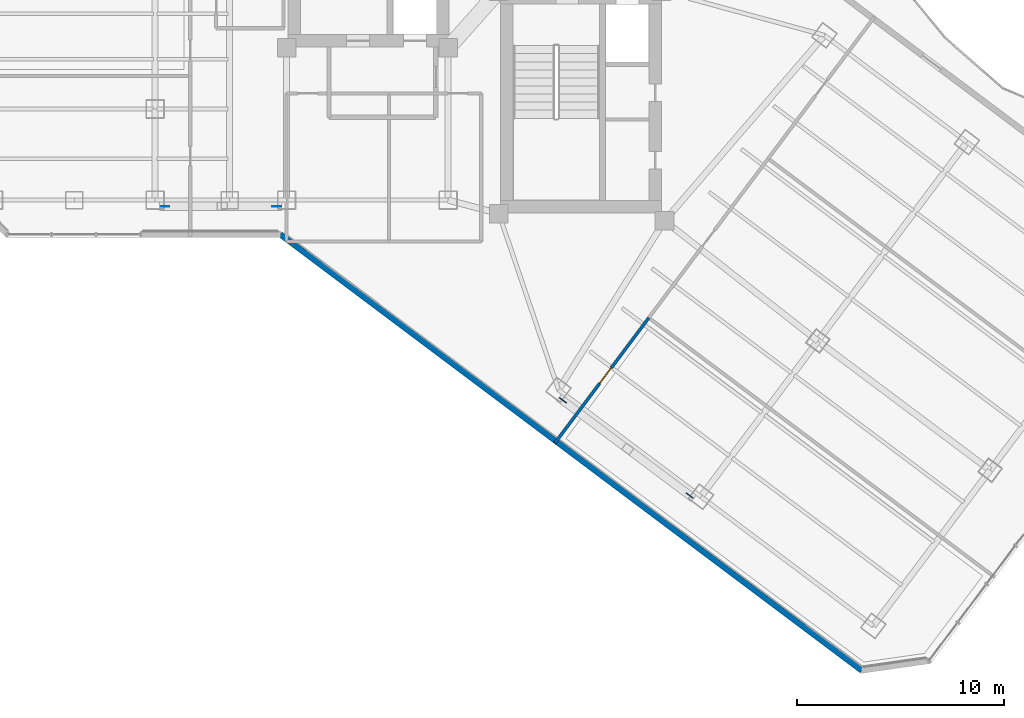
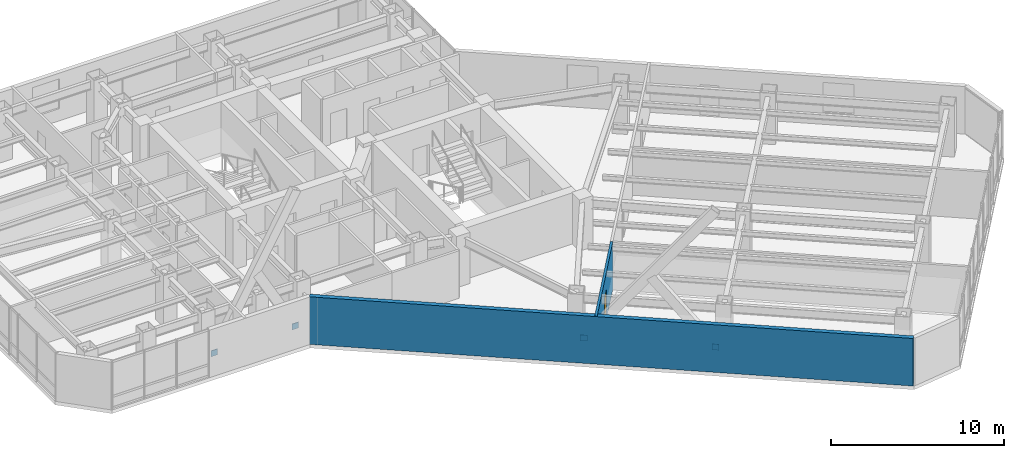
# One storey, part 21 of 29: 4 plates, 2 walls, 1 door, 1 opening.
"""IFC4 building model written with IfcOpenShell, lengths in metres."""

from ifc_helpers import new_model, si_unit, direction, frame, frame_2d, origin, origin_2d, place, context, subcontext, project, spatial, rectangle, extrude, material, layer, layer_set, type_object, element, fill, save


model = new_model("IFC4")

# Units and contexts
model_context = context("Model", 3, precision=1e-05, world=origin(), true_north=direction((0.0, 1.0)))
body_context = subcontext(model_context, "Body", "Model", "MODEL_VIEW")
ifc_project = project(units=[si_unit("LENGTHUNIT", "METRE"), si_unit("AREAUNIT", "SQUARE_METRE"), si_unit("VOLUMEUNIT", "CUBIC_METRE"), si_unit("PLANEANGLEUNIT", "RADIAN"), si_unit("MASSUNIT", "GRAM", prefix="KILO")], contexts=[model_context])

# Site, building, storey
site_placement = place(None, origin())
site = spatial("IfcSite", under=ifc_project, at=site_placement, CompositionType="ELEMENT")
building_placement = place(site_placement, origin())
building = spatial("IfcBuilding", under=site, at=building_placement, Name="Hatsunagi Terrace Concourse", CompositionType="ELEMENT")
storey_placement = place(building_placement, frame((0.0, 0.0, 108.449951171875)))
storey = spatial("IfcBuildingStorey", under=building, at=storey_placement, Name="L28", CompositionType="ELEMENT", Elevation=108.449951171875)

# Plates
ifc_material_1 = material(Name="Steel SN490C", Category="steel")
ifc_layer_1 = layer(ifc_material_1, 0.031982421875)
ifc_layer_set_1 = layer_set([ifc_layer_1], Name="XBraceNodeCapPlate_32")
plate_type = type_object("IfcPlateType", Name="XBraceNodeCapPlate_32", PredefinedType="USERDEFINED", material=ifc_layer_set_1)
for number, where, z_axis, x_axis, name in (
    (1, (19.675048828125, 24.89990234375, 0.22998046875), (0.0, 0.0, 1.0), (1.0, 0.0, 0.0), "Cast-In Core and Node Embed Plate GP-02 EP-XB-L28-W1-AB"),
    (2, (25.074951171875, 24.89990234375, 0.22998046875), (0.0, 0.0, 1.0), (1.0, 0.0, 0.0), "Cast-In Core and Node Embed Plate GP-02 EP-XB-L28-W1-BB"),
    (3, (38.89208984375, 15.531005859375, 0.22998046875), (0.0, 0.0, 1.0), (0.799999996291, -0.600000004945, 0.0), "Cast-In Core and Node Embed Plate GP-02 EP-XB-L28-SE-AB"),
    (4, (45.011962890625, 10.94091796875, 0.22998046875), (0.0, 0.0, 1.0), (0.799999996291, -0.600000004945, 0.0), "Cast-In Core and Node Embed Plate GP-02 EP-XB-L28-SE-BB"),
):
    element("IfcPlate", number, at=place(storey_placement, frame(where, z_axis=z_axis, x_axis=x_axis)), inside=storey, type_object=plate_type, Name=name, ObjectType="GUSSET_PLATE", PredefinedType="USERDEFINED", context=body_context, shape_type="SweptSolid", body=[
        extrude(rectangle(XDim=0.419921875, YDim=0.031982421875, at=origin_2d()), origin(), (0.0, 0.0, 1.0), 0.419921875),
    ])

# Wall, opening, door
ifc_material_2 = material(Name="Acoustic mineral board", Category="gypsum")
ifc_layer_2 = layer(ifc_material_2, 0.14990234375)
ifc_layer_set_2 = layer_set([ifc_layer_2], Name="PartitionWall_EI60_150")
wall_type_1 = type_object("IfcWallType", Name="PartitionWall_EI60_150", PredefinedType="PARTITIONING", material=ifc_layer_set_2)
wall_1_placement = place(storey_placement, frame((38.50390625, 13.471923828125, 0.0), z_axis=(0.0, 0.0, 1.0), x_axis=(0.600005166878, 0.799996124815, 0.0)))
wall_1 = element("IfcWall", 5, at=wall_1_placement, inside=storey, type_object=wall_type_1, Name="Interior Partition IW-L28-042", PredefinedType="PARTITIONING", context=body_context, shape_type="SweptSolid", body=[
    extrude(rectangle(XDim=7.56005859375, YDim=0.14990234375, at=frame_2d((3.780029296875, 0.0))), origin(), (0.0, 0.0, 1.0), 3.35009765625),
])
opening_placement = place(wall_1_placement, frame((3.597900390625, 0.0, 0.0)))
opening = element("IfcOpeningElement", 6, at=opening_placement, cuts=wall_1, Name="Opening DR-095", PredefinedType="OPENING", context=body_context, shape_type="SweptSolid", body=[
    extrude(rectangle(XDim=0.949951171875, YDim=2.14990234375, at=frame_2d((0.47509765625, 1.074951171875))), frame((0.0, 0.0849609375, 0.0), z_axis=(0.0, -1.0, 0.0), x_axis=(1.0, 0.0, 0.0)), (0.0, 0.0, 1.0), 0.169921875),
])
ifc_material_3 = material(Name="Hardwood timber", Category="wood")
door_type = type_object("IfcDoorType", Name="InteriorSuiteDoor_EI30_950", OperationType="NOTDEFINED", PredefinedType="DOOR", material=ifc_material_3)
door_placement = place(opening_placement, origin())
door = element("IfcDoor", 7, at=door_placement, inside=storey, type_object=door_type, Name="Research Focus Suite L28-OSE1 Door", OperationType="SINGLE_SWING_RIGHT", OverallHeight=2.14990234375, OverallWidth=0.949951171875, PredefinedType="DOOR", context=body_context, shape_type="SweptSolid", body=[
    extrude(rectangle(XDim=0.949951171875, YDim=2.14990234375, at=frame_2d((0.47509765625, 1.074951171875))), frame((0.0, 0.02490234375, 0.0), z_axis=(0.0, -1.0, 0.0), x_axis=(1.0, 0.0, 0.0)), (0.0, 0.0, 1.0), 0.050048828125),
])
fill(opening, door)

# Wall
ifc_material_4 = material(Name="Autoclaved Lightweight Concrete and Terracotta Cladding", Category="masonry")
ifc_layer_3 = layer(ifc_material_4, 0.280029296875)
ifc_layer_set_3 = layer_set([ifc_layer_3], Name="TerracottaSpandrelWall_280")
wall_type_2 = type_object("IfcWallType", Name="TerracottaSpandrelWall_280", PredefinedType="STANDARD", material=ifc_layer_set_3)
wall_2_placement = place(storey_placement, frame((53.318115234375, 2.487060546875, 0.0), z_axis=(0.0, 0.0, 1.0), x_axis=(-0.800004174678, 0.599994433723, 0.0)))
element("IfcWall", 8, at=wall_2_placement, inside=storey, type_object=wall_type_2, Name="Exterior Spandrel Wall EW-L28-05", PredefinedType="STANDARD", context=body_context, shape_type="SweptSolid", body=[
    extrude(rectangle(XDim=35.088623046875, YDim=0.280029296875, at=frame_2d((17.54443359375, 0.0))), origin(), (0.0, 0.0, 1.0), 3.35009765625),
])

save(model, "model.ifc")
